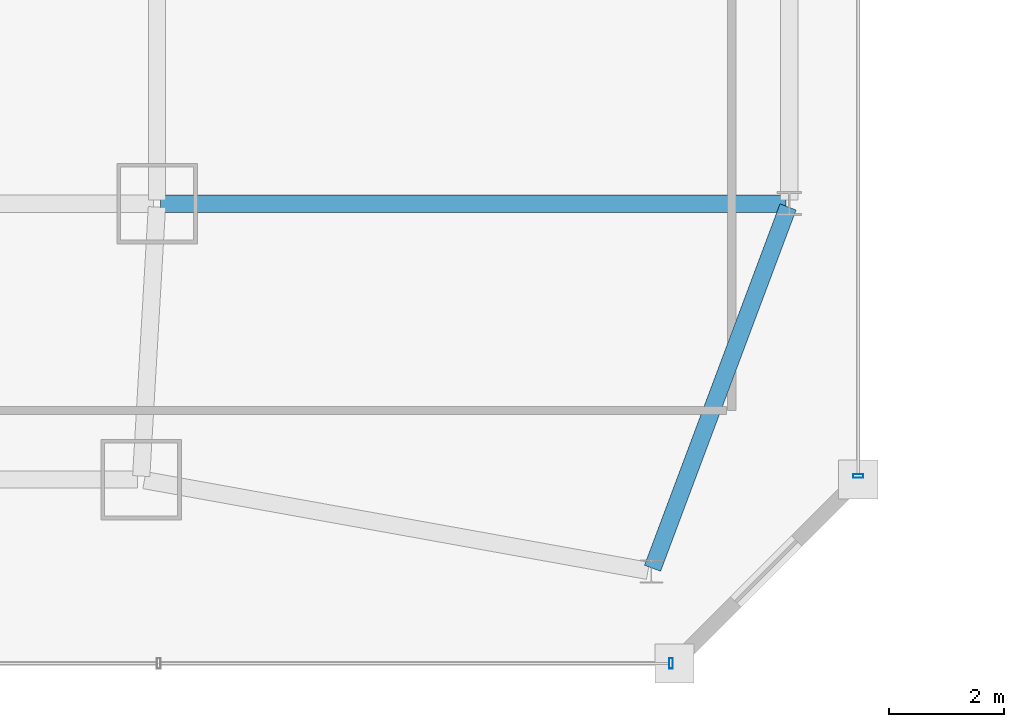
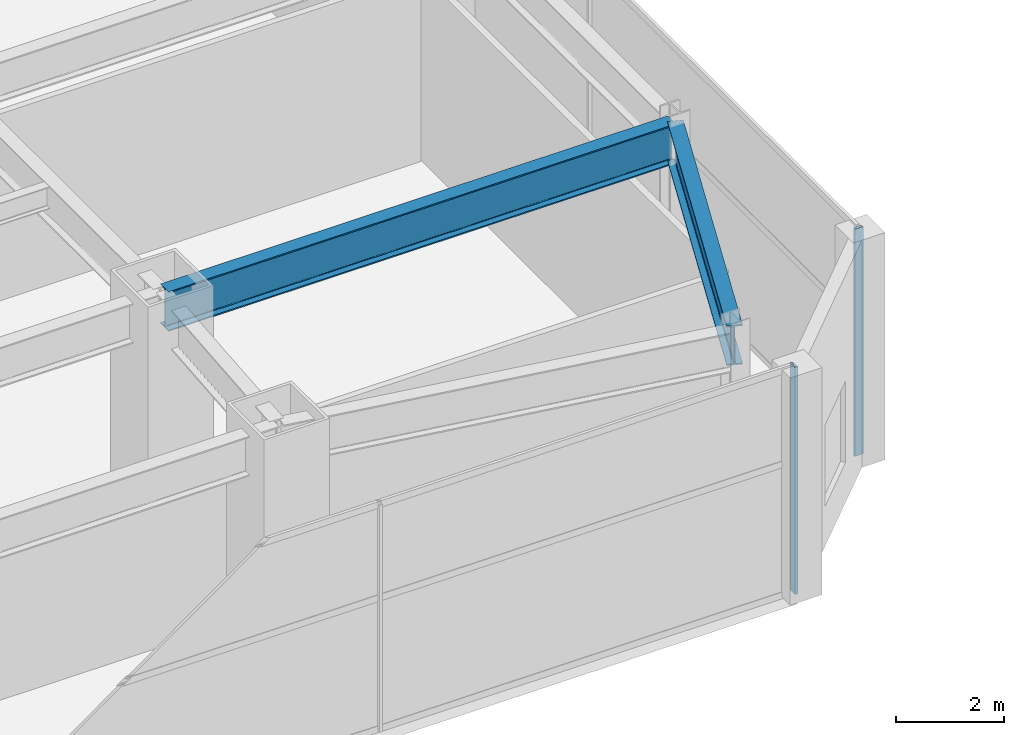
# One storey, part 17 of 53: 2 beams, 2 members, 2 elements without a shape of their own.
"""IFC4 building model written with IfcOpenShell, lengths in metres."""

from ifc_helpers import new_model, si_unit, direction, frame, origin, origin_2d, place, context, subcontext, project, spatial, hollow_rectangle, i_section, extrude, material, material_profile, profile_set, type_object, element, aggregate, save


model = new_model("IFC4")

# Units and contexts
model_context = context("Model", 3, precision=1e-05, world=origin(), true_north=direction((0.0, 1.0)))
body_context = subcontext(model_context, "Body", "Model", "MODEL_VIEW")
ifc_project = project(units=[si_unit("LENGTHUNIT", "METRE"), si_unit("AREAUNIT", "SQUARE_METRE"), si_unit("VOLUMEUNIT", "CUBIC_METRE"), si_unit("PLANEANGLEUNIT", "RADIAN"), si_unit("MASSUNIT", "GRAM", prefix="KILO")], contexts=[model_context])

# Site, building, storey
site_placement = place(None, origin())
site = spatial("IfcSite", under=ifc_project, at=site_placement, CompositionType="ELEMENT")
building_placement = place(site_placement, origin())
building = spatial("IfcBuilding", under=site, at=building_placement, Name="Saevonmaru Cultural Tower", CompositionType="ELEMENT")
storey_placement = place(building_placement, frame((0.0, 0.0, 22.199951171875)))
storey = spatial("IfcBuildingStorey", under=building, at=storey_placement, Name="L04", CompositionType="ELEMENT", Elevation=22.199951171875)

# Beams
ifc_material_1 = material(Name="Steel SM420", Category="steel")
ifc_material_profile_1 = material_profile(ifc_material_1, i_section(OverallWidth=0.300048828125, OverallDepth=0.89990234375, WebThickness=0.01611328125, FlangeThickness=0.028076171875, FilletRadius=0.028076171875, at=origin_2d()), Name="H-900x300x16x28")
ifc_profile_set_1 = profile_set([ifc_material_profile_1], Name="Steel SM420")
beam_type = type_object("IfcBeamType", Name="BM-G-H900", PredefinedType="BEAM", material=ifc_profile_set_1)
beam_1_placement = place(storey_placement, frame((47.860107421875, 8.0, 4.699951171875), z_axis=(1.0, 0.0, 0.0), x_axis=(0.0, 1.0, 0.0)))
element("IfcBeam", 1, at=beam_1_placement, inside=storey, type_object=beam_type, Name="BM-POD-OE-1-L04", PredefinedType="BEAM", context=body_context, shape_type="SweptSolid", body=[
    extrude(i_section(OverallWidth=0.300048828125, OverallDepth=0.89990234375, WebThickness=0.01611328125, FlangeThickness=0.028076171875, FilletRadius=0.028076171875, at=origin_2d()), origin(), (0.0, 0.0, 1.0), 10.8798828125),
])
beam_2_placement = place(storey_placement, frame((56.421142578125, 1.65625, 4.699951171875), z_axis=(0.351099535502, 0.936338142003, 0.0), x_axis=(-0.936338142003, 0.351099535502, 0.0)))
element("IfcBeam", 2, at=beam_2_placement, inside=storey, type_object=beam_type, Name="BM-POD-PS-4-L04", PredefinedType="BEAM", context=body_context, shape_type="SweptSolid", body=[
    extrude(i_section(OverallWidth=0.300048828125, OverallDepth=0.89990234375, WebThickness=0.01611328125, FlangeThickness=0.028076171875, FilletRadius=0.028076171875, at=origin_2d()), origin(), (0.0, 0.0, 1.0), 6.715087890625),
])

# Curtain wall, member
ifc_material_2 = material(Name="Satin Bronze Anodised Aluminium", Category="aluminium")
curtain_wall_type = type_object("IfcCurtainWallType", Name="CW-POD-GLZ", PredefinedType="NOTDEFINED", material=ifc_material_2)
curtain_wall_1_placement = place(storey_placement, origin())
curtain_wall_1 = element("IfcCurtainWall", 3, at=curtain_wall_1_placement, inside=storey, type_object=curtain_wall_type, Name="L04 South Grand Foyer Curtain Wall", PredefinedType="NOTDEFINED")
ifc_material_profile_2 = material_profile(ifc_material_2, hollow_rectangle(XDim=0.06494140625, YDim=0.179931640625, WallThickness=0.00390625, at=origin_2d()), Name="ALU-MULL-180x65x4")
ifc_profile_set_2 = profile_set([ifc_material_profile_2], Name="Satin Bronze Anodised Aluminium")
member_type = type_object("IfcMemberType", Name="ML-CW-180x65", PredefinedType="MULLION", material=ifc_profile_set_2)
member_1_placement = place(storey_placement, frame((56.739990234375, 0.0, 0.0), z_axis=(0.0, 0.0, 1.0), x_axis=(1.0, 0.0, 0.0)))
member_1 = element("IfcMember", 4, at=member_1_placement, type_object=member_type, Name="CW-POD-S-L04 mullion 7", PredefinedType="MULLION", context=body_context, shape_type="SweptSolid", body=[
    extrude(hollow_rectangle(XDim=0.06494140625, YDim=0.179931640625, WallThickness=0.00390625, at=origin_2d()), origin(), (0.0, 0.0, 1.0), 5.150146484375),
])
aggregate(curtain_wall_1, [member_1])

curtain_wall_2_placement = place(storey_placement, origin())
curtain_wall_2 = element("IfcCurtainWall", 5, at=curtain_wall_2_placement, inside=storey, type_object=curtain_wall_type, Name="L04 Saevon Plaza Curtain Wall", PredefinedType="NOTDEFINED")
member_2_placement = place(storey_placement, frame((60.0, 3.260009765625, 0.0), z_axis=(0.0, 0.0, 1.0), x_axis=(0.0, 1.0, 0.0)))
member_2 = element("IfcMember", 6, at=member_2_placement, type_object=member_type, Name="CW-POD-E-L04 mullion 1", PredefinedType="MULLION", context=body_context, shape_type="SweptSolid", body=[
    extrude(hollow_rectangle(XDim=0.06494140625, YDim=0.179931640625, WallThickness=0.00390625, at=origin_2d()), origin(), (0.0, 0.0, 1.0), 5.150146484375),
])
aggregate(curtain_wall_2, [member_2])

save(model, "model.ifc")
